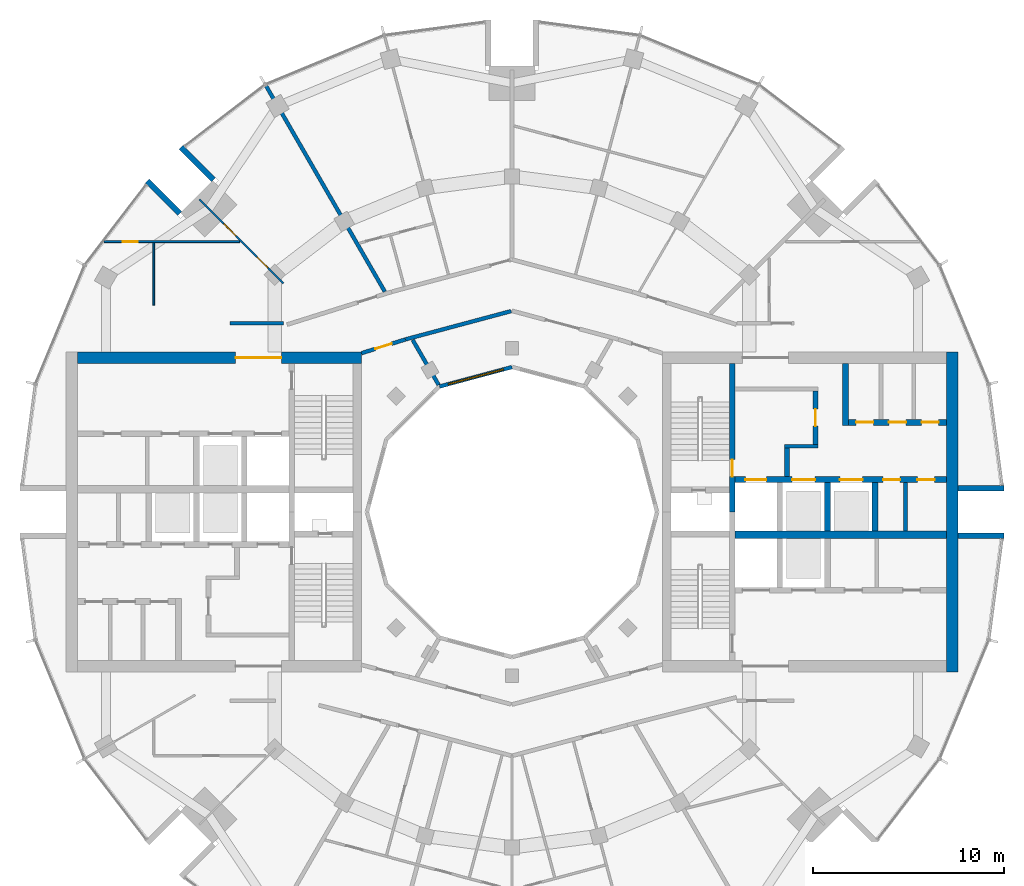
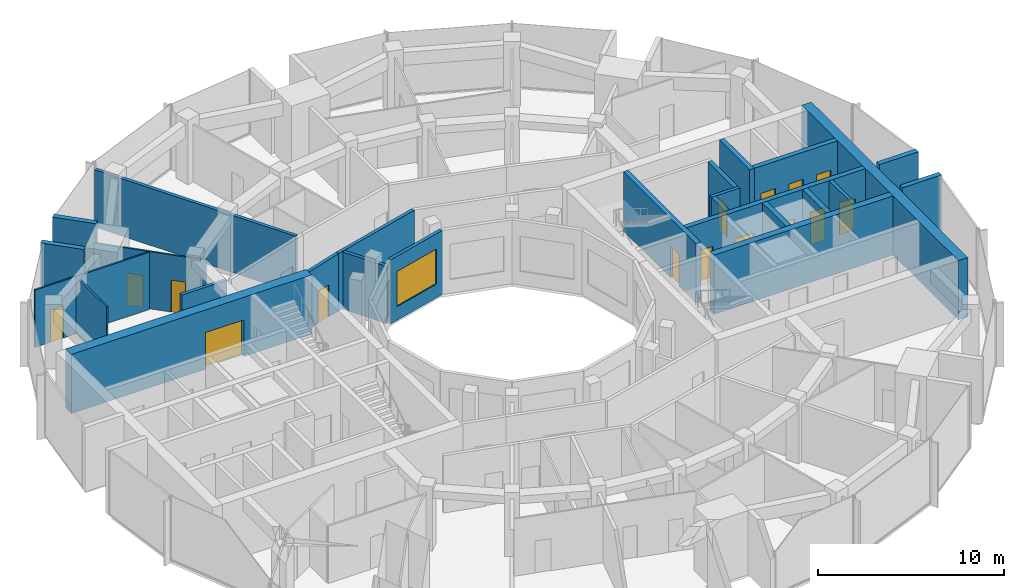
# One storey, part 11 of 15: 26 walls, 15 doors, 1 window, 16 openings.
"""IFC4 building model written with IfcOpenShell, lengths in metres."""

from ifc_helpers import new_model, si_unit, direction, frame, frame_2d, origin, place, context, subcontext, project, spatial, rectangle, extrude, material, layer, layer_set, type_object, element, fill, save


model = new_model("IFC4")

# Units and contexts
model_context = context("Model", 3, precision=1e-05, world=origin(), true_north=direction((0.0, 1.0)))
body_context = subcontext(model_context, "Body", "Model", "MODEL_VIEW")
ifc_project = project(units=[si_unit("LENGTHUNIT", "METRE"), si_unit("AREAUNIT", "SQUARE_METRE"), si_unit("VOLUMEUNIT", "CUBIC_METRE"), si_unit("PLANEANGLEUNIT", "RADIAN"), si_unit("MASSUNIT", "GRAM", prefix="KILO")], contexts=[model_context])

# Site, building, storey
site_placement = place(None, origin())
site = spatial("IfcSite", under=ifc_project, at=site_placement, CompositionType="ELEMENT")
building_placement = place(site_placement, origin())
building = spatial("IfcBuilding", under=site, at=building_placement, Name="Torre Brocal", CompositionType="ELEMENT")
storey_placement = place(building_placement, frame((0.0, 0.0, 216.699951171875)))
storey = spatial("IfcBuildingStorey", under=building, at=storey_placement, Name="L50", CompositionType="ELEMENT", Elevation=216.699951171875)

# Walls
ifc_material_1 = material(Name="Masonry block", Category="masonry")
ifc_layer_1 = layer(ifc_material_1, 0.199951171875)
ifc_layer_set_1 = layer_set([ifc_layer_1], Name="Masonry block")
wall_type_1 = type_object("IfcWallType", Name="CORE PARTITION 200", PredefinedType="PARTITIONING", material=ifc_layer_set_1)
wall_1_placement = place(storey_placement, frame((100.639892578125, 74.0, 0.0), z_axis=(0.0, 0.0, 1.0), x_axis=(0.0, 1.0, 0.0)))
element("IfcWall", 1, at=wall_1_placement, inside=storey, type_object=wall_type_1, Name="Wall CP200", PredefinedType="PARTITIONING", context=body_context, shape_type="SweptSolid", body=[
    extrude(rectangle(XDim=2.550048828125, YDim=0.199951171875, at=frame_2d((1.27490234375, 0.0))), origin(), (0.0, 0.0, 1.0), 3.880126953125),
])
ifc_material_2 = material(Name="Concrete C60", Category="concrete")
ifc_layer_2 = layer(ifc_material_2, 0.199951171875)
ifc_layer_set_2 = layer_set([ifc_layer_2], Name="Concrete C60")
wall_type_2 = type_object("IfcWallType", Name="CORE WALL 200 C60", PredefinedType="SHEAR", material=ifc_layer_set_2)
wall_2_placement = place(storey_placement, frame((94.300048828125, 78.449951171875, 0.0), z_axis=(0.0, 0.0, 1.0), x_axis=(1.0, 0.0, 0.0)))
element("IfcWall", 2, at=wall_2_placement, inside=storey, type_object=wall_type_2, Name="Wall CW200-60", PredefinedType="SHEAR", context=body_context, shape_type="SweptSolid", body=[
    extrude(rectangle(XDim=1.75, YDim=0.199951171875, at=frame_2d((0.875, 0.0))), origin(), (0.0, 0.0, 1.0), 3.880126953125),
])

# Wall, opening, door
ifc_material_3 = material(Name="Concrete C60", Category="concrete")
ifc_layer_3 = layer(ifc_material_3, 0.25)
ifc_layer_set_3 = layer_set([ifc_layer_3], Name="Concrete C60")
wall_type_3 = type_object("IfcWallType", Name="CORE WALL 250 C60", PredefinedType="SHEAR", material=ifc_layer_set_3)
wall_3_placement = place(storey_placement, frame((95.925048828125, 78.550048828125, 0.0), z_axis=(0.0, 0.0, 1.0), x_axis=(0.0, 1.0, 0.0)))
wall_3 = element("IfcWall", 3, at=wall_3_placement, inside=storey, type_object=wall_type_3, Name="Wall CW250-60", PredefinedType="SHEAR", context=body_context, shape_type="SweptSolid", body=[
    extrude(rectangle(XDim=2.800048828125, YDim=0.25, at=frame_2d((1.39990234375, 0.0))), origin(), (0.0, 0.0, 1.0), 3.880126953125),
])
opening_1_placement = place(wall_3_placement, frame((0.949951171875, 0.0, 0.0)))
opening_1 = element("IfcOpeningElement", 4, at=opening_1_placement, cuts=wall_3, Name="Opening E-D08", PredefinedType="OPENING", context=body_context, shape_type="SweptSolid", body=[
    extrude(rectangle(XDim=0.89990234375, YDim=2.10009765625, at=frame_2d((0.449951171875, 1.050048828125))), frame((0.0, 0.135009765625, 0.0), z_axis=(0.0, -1.0, 0.0), x_axis=(1.0, 0.0, 0.0)), (0.0, 0.0, 1.0), 0.27001953125),
])
ifc_material_4 = material(Name="Steel A653", Category="steel")
door_type_1 = type_object("IfcDoorType", Name="LOBBY DOOR FD120 900X2100", OperationType="SINGLE_SWING_RIGHT", PredefinedType="DOOR", material=ifc_material_4)
door_1_placement = place(opening_1_placement, origin())
door_1 = element("IfcDoor", 5, at=door_1_placement, inside=storey, type_object=door_type_1, Name="Door E-D08", OperationType="SINGLE_SWING_LEFT", OverallHeight=2.10009765625, OverallWidth=0.89990234375, PredefinedType="DOOR", context=body_context, shape_type="SweptSolid", body=[
    extrude(rectangle(XDim=0.89990234375, YDim=2.10009765625, at=frame_2d((0.449951171875, 1.050048828125))), frame((0.0, 0.02490234375, 0.0), z_axis=(0.0, -1.0, 0.0), x_axis=(1.0, 0.0, 0.0)), (0.0, 0.0, 1.0), 0.050048828125),
])
fill(opening_1, door_1)

# Wall
wall_4_placement = place(storey_placement, frame((94.425048828125, 76.85009765625, 0.0), z_axis=(0.0, 0.0, 1.0), x_axis=(0.0, 1.0, 0.0)))
element("IfcWall", 6, at=wall_4_placement, inside=storey, type_object=wall_type_3, Name="Wall CW250-60", PredefinedType="SHEAR", context=body_context, shape_type="SweptSolid", body=[
    extrude(rectangle(XDim=1.5, YDim=0.25, at=frame_2d((0.75, 0.0))), origin(), (0.0, 0.0, 1.0), 3.880126953125),
])

# Wall, opening, door
ifc_material_5 = material(Name="Concrete C60", Category="concrete")
ifc_layer_4 = layer(ifc_material_5, 0.300048828125)
ifc_layer_set_4 = layer_set([ifc_layer_4], Name="Concrete C60")
wall_type_4 = type_object("IfcWallType", Name="CORE WALL 300 C60", PredefinedType="SHEAR", material=ifc_layer_set_4)
wall_5_placement = place(storey_placement, frame((91.550048828125, 75.0, 0.0), z_axis=(0.0, 0.0, 1.0), x_axis=(0.0, 1.0, 0.0)))
wall_5 = element("IfcWall", 7, at=wall_5_placement, inside=storey, type_object=wall_type_4, Name="Wall CW300-60", PredefinedType="SHEAR", context=body_context, shape_type="SweptSolid", body=[
    extrude(rectangle(XDim=7.800048828125, YDim=0.300048828125, at=frame_2d((3.89990234375, 0.0))), origin(), (0.0, 0.0, 1.0), 3.880126953125),
])
opening_2_placement = place(wall_5_placement, frame((1.85009765625, 0.0, 0.0)))
opening_2 = element("IfcOpeningElement", 8, at=opening_2_placement, cuts=wall_5, Name="Opening E-D02", PredefinedType="OPENING", context=body_context, shape_type="SweptSolid", body=[
    extrude(rectangle(XDim=0.89990234375, YDim=2.10009765625, at=frame_2d((0.449951171875, 1.050048828125))), frame((0.0, 0.159912109375, 0.0), z_axis=(0.0, -1.0, 0.0), x_axis=(1.0, 0.0, 0.0)), (0.0, 0.0, 1.0), 0.320068359375),
])
ifc_material_6 = material(Name="Steel A653", Category="steel")
door_type_2 = type_object("IfcDoorType", Name="STAIR DOOR FD120 900X2100", OperationType="SINGLE_SWING_RIGHT", PredefinedType="DOOR", material=ifc_material_6)
door_2_placement = place(opening_2_placement, origin())
door_2 = element("IfcDoor", 9, at=door_2_placement, inside=storey, type_object=door_type_2, Name="Door E-D02", OperationType="SINGLE_SWING_LEFT", OverallHeight=2.10009765625, OverallWidth=0.89990234375, PredefinedType="DOOR", context=body_context, shape_type="SweptSolid", body=[
    extrude(rectangle(XDim=0.89990234375, YDim=2.10009765625, at=frame_2d((0.449951171875, 1.050048828125))), frame((0.0, 0.02490234375, 0.0), z_axis=(0.0, -1.0, 0.0), x_axis=(1.0, 0.0, 0.0)), (0.0, 0.0, 1.0), 0.050048828125),
])
fill(opening_2, door_2)

# Wall, openings, doors
wall_6_placement = place(storey_placement, frame((91.699951171875, 76.699951171875, 0.0), z_axis=(0.0, 0.0, 1.0), x_axis=(1.0, 0.0, 0.0)))
wall_6 = element("IfcWall", 10, at=wall_6_placement, inside=storey, type_object=wall_type_4, Name="Wall CW300-60", PredefinedType="SHEAR", context=body_context, shape_type="SweptSolid", body=[
    extrude(rectangle(XDim=11.10009765625, YDim=0.300048828125, at=frame_2d((5.550048828125, 0.0))), origin(), (0.0, 0.0, 1.0), 3.880126953125),
])
opening_3_placement = place(wall_6_placement, frame((0.550048828125, 0.0, 0.0)))
opening_3 = element("IfcOpeningElement", 11, at=opening_3_placement, cuts=wall_6, Name="Opening LD", PredefinedType="OPENING", context=body_context, shape_type="SweptSolid", body=[
    extrude(rectangle(XDim=1.10009765625, YDim=2.10009765625, at=frame_2d((0.550048828125, 1.050048828125))), frame((0.0, 0.159912109375, 0.0), z_axis=(0.0, -1.0, 0.0), x_axis=(1.0, 0.0, 0.0)), (0.0, 0.0, 1.0), 0.320068359375),
])
opening_4_placement = place(wall_6_placement, frame((3.0, 0.0, 0.0)))
opening_4 = element("IfcOpeningElement", 12, at=opening_4_placement, cuts=wall_6, Name="Opening LD12", PredefinedType="OPENING", context=body_context, shape_type="SweptSolid", body=[
    extrude(rectangle(XDim=1.199951171875, YDim=2.10009765625, at=frame_2d((0.60009765625, 1.050048828125))), frame((0.0, 0.159912109375, 0.0), z_axis=(0.0, -1.0, 0.0), x_axis=(1.0, 0.0, 0.0)), (0.0, 0.0, 1.0), 0.320068359375),
])
opening_5_placement = place(wall_6_placement, frame((5.5, 0.0, 0.0)))
opening_5 = element("IfcOpeningElement", 13, at=opening_5_placement, cuts=wall_6, Name="Opening LD12", PredefinedType="OPENING", context=body_context, shape_type="SweptSolid", body=[
    extrude(rectangle(XDim=1.199951171875, YDim=2.10009765625, at=frame_2d((0.60009765625, 1.050048828125))), frame((0.0, 0.159912109375, 0.0), z_axis=(0.0, -1.0, 0.0), x_axis=(1.0, 0.0, 0.0)), (0.0, 0.0, 1.0), 0.320068359375),
])
opening_6_placement = place(wall_6_placement, frame((7.77001953125, 0.0, 0.0)))
opening_6 = element("IfcOpeningElement", 14, at=opening_6_placement, cuts=wall_6, Name="Opening E-D04", PredefinedType="OPENING", context=body_context, shape_type="SweptSolid", body=[
    extrude(rectangle(XDim=0.89990234375, YDim=2.10009765625, at=frame_2d((0.449951171875, 1.050048828125))), frame((0.0, 0.159912109375, 0.0), z_axis=(0.0, -1.0, 0.0), x_axis=(1.0, 0.0, 0.0)), (0.0, 0.0, 1.0), 0.320068359375),
])
opening_7_placement = place(wall_6_placement, frame((9.570068359375, 0.0, 0.0)))
opening_7 = element("IfcOpeningElement", 15, at=opening_7_placement, cuts=wall_6, Name="Opening E-D05", PredefinedType="OPENING", context=body_context, shape_type="SweptSolid", body=[
    extrude(rectangle(XDim=0.89990234375, YDim=2.10009765625, at=frame_2d((0.449951171875, 1.050048828125))), frame((0.0, 0.159912109375, 0.0), z_axis=(0.0, -1.0, 0.0), x_axis=(1.0, 0.0, 0.0)), (0.0, 0.0, 1.0), 0.320068359375),
])
ifc_material_7 = material(Name="Stainless steel AISI 316", Category="steel")
door_type_3 = type_object("IfcDoorType", Name="LIFT LANDING DOOR 1100X2100", OperationType="DOUBLE_DOOR_SLIDING", PredefinedType="DOOR", material=ifc_material_7)
door_3_placement = place(opening_3_placement, origin())
door_3 = element("IfcDoor", 16, at=door_3_placement, inside=storey, type_object=door_type_3, Name="Door LD", OperationType="DOUBLE_DOOR_SLIDING", OverallHeight=2.10009765625, OverallWidth=1.10009765625, PredefinedType="DOOR", context=body_context, shape_type="SweptSolid", body=[
    extrude(rectangle(XDim=1.10009765625, YDim=2.10009765625, at=frame_2d((0.550048828125, 1.050048828125))), frame((0.0, 0.02490234375, 0.0), z_axis=(0.0, -1.0, 0.0), x_axis=(1.0, 0.0, 0.0)), (0.0, 0.0, 1.0), 0.050048828125),
])
fill(opening_3, door_3)
ifc_material_8 = material(Name="Stainless steel AISI 316", Category="steel")
door_type_4 = type_object("IfcDoorType", Name="LIFT LANDING DOOR 1200X2100", OperationType="DOUBLE_DOOR_SLIDING", PredefinedType="DOOR", material=ifc_material_8)
door_4_placement = place(opening_4_placement, origin())
door_4 = element("IfcDoor", 17, at=door_4_placement, inside=storey, type_object=door_type_4, Name="Door LD12", OperationType="DOUBLE_DOOR_SLIDING", OverallHeight=2.10009765625, OverallWidth=1.199951171875, PredefinedType="DOOR", context=body_context, shape_type="SweptSolid", body=[
    extrude(rectangle(XDim=1.199951171875, YDim=2.10009765625, at=frame_2d((0.60009765625, 1.050048828125))), frame((0.0, 0.02490234375, 0.0), z_axis=(0.0, -1.0, 0.0), x_axis=(1.0, 0.0, 0.0)), (0.0, 0.0, 1.0), 0.050048828125),
])
fill(opening_4, door_4)
door_5_placement = place(opening_5_placement, origin())
door_5 = element("IfcDoor", 18, at=door_5_placement, inside=storey, type_object=door_type_4, Name="Door LD12", OperationType="DOUBLE_DOOR_SLIDING", OverallHeight=2.10009765625, OverallWidth=1.199951171875, PredefinedType="DOOR", context=body_context, shape_type="SweptSolid", body=[
    extrude(rectangle(XDim=1.199951171875, YDim=2.10009765625, at=frame_2d((0.60009765625, 1.050048828125))), frame((0.0, 0.02490234375, 0.0), z_axis=(0.0, -1.0, 0.0), x_axis=(1.0, 0.0, 0.0)), (0.0, 0.0, 1.0), 0.050048828125),
])
fill(opening_5, door_5)
ifc_material_9 = material(Name="Steel A653", Category="steel")
door_type_5 = type_object("IfcDoorType", Name="ROOM DOOR FD30S 900X2100", OperationType="SINGLE_SWING_LEFT", PredefinedType="DOOR", material=ifc_material_9)
door_6_placement = place(opening_6_placement, frame((0.89990234375, 0.0, 0.0), z_axis=(0.0, 0.0, 1.0), x_axis=(-1.0, 0.0, 0.0)))
door_6 = element("IfcDoor", 19, at=door_6_placement, inside=storey, type_object=door_type_5, Name="Door E-D04", OperationType="SINGLE_SWING_LEFT", OverallHeight=2.10009765625, OverallWidth=0.89990234375, PredefinedType="DOOR", context=body_context, shape_type="SweptSolid", body=[
    extrude(rectangle(XDim=0.89990234375, YDim=2.10009765625, at=frame_2d((0.449951171875, 1.050048828125))), frame((0.0, 0.02490234375, 0.0), z_axis=(0.0, -1.0, 0.0), x_axis=(1.0, 0.0, 0.0)), (0.0, 0.0, 1.0), 0.050048828125),
])
fill(opening_6, door_6)
door_7_placement = place(opening_7_placement, frame((0.89990234375, 0.0, 0.0), z_axis=(0.0, 0.0, 1.0), x_axis=(-1.0, 0.0, 0.0)))
door_7 = element("IfcDoor", 20, at=door_7_placement, inside=storey, type_object=door_type_5, Name="Door E-D05", OperationType="SINGLE_SWING_RIGHT", OverallHeight=2.10009765625, OverallWidth=0.89990234375, PredefinedType="DOOR", context=body_context, shape_type="SweptSolid", body=[
    extrude(rectangle(XDim=0.89990234375, YDim=2.10009765625, at=frame_2d((0.449951171875, 1.050048828125))), frame((0.0, 0.02490234375, 0.0), z_axis=(0.0, -1.0, 0.0), x_axis=(1.0, 0.0, 0.0)), (0.0, 0.0, 1.0), 0.050048828125),
])
fill(opening_7, door_7)

# Walls
for number, where, z_axis, x_axis, name in (
    (21, (96.550048828125, 74.0, 0.0), (0.0, 0.0, 1.0), (0.0, 1.0, 0.0), "Wall CW300-60"),
    (22, (99.050048828125, 74.0, 0.0), (0.0, 0.0, 1.0), (0.0, 1.0, 0.0), "Wall CW300-60"),
):
    element("IfcWall", number, at=place(storey_placement, frame(where, z_axis=z_axis, x_axis=x_axis)), inside=storey, type_object=wall_type_4, Name=name, PredefinedType="SHEAR", context=body_context, shape_type="SweptSolid", body=[
        extrude(rectangle(XDim=2.550048828125, YDim=0.300048828125, at=frame_2d((1.27490234375, 0.0))), origin(), (0.0, 0.0, 1.0), 3.880126953125),
    ])
wall_7_placement = place(storey_placement, frame((97.5, 79.550048828125, 0.0), z_axis=(0.0, 0.0, 1.0), x_axis=(0.0, 1.0, 0.0)))
element("IfcWall", 23, at=wall_7_placement, inside=storey, type_object=wall_type_4, Name="Wall CW300-60", PredefinedType="SHEAR", context=body_context, shape_type="SweptSolid", body=[
    extrude(rectangle(XDim=3.25, YDim=0.300048828125, at=frame_2d((1.625, 0.0))), origin(), (0.0, 0.0, 1.0), 3.880126953125),
])

# Wall, openings, doors
wall_8_placement = place(storey_placement, frame((97.64990234375, 79.699951171875, 0.0), z_axis=(0.0, 0.0, 1.0), x_axis=(1.0, 0.0, 0.0)))
wall_8 = element("IfcWall", 24, at=wall_8_placement, inside=storey, type_object=wall_type_4, Name="Wall CW300-60", PredefinedType="SHEAR", context=body_context, shape_type="SweptSolid", body=[
    extrude(rectangle(XDim=5.150146484375, YDim=0.300048828125, at=frame_2d((2.5751953125, 0.0))), origin(), (0.0, 0.0, 1.0), 3.880126953125),
])
opening_8_placement = place(wall_8_placement, frame((0.408203125, 0.0, 0.0)))
opening_8 = element("IfcOpeningElement", 25, at=opening_8_placement, cuts=wall_8, Name="Opening E-D09", PredefinedType="OPENING", context=body_context, shape_type="SweptSolid", body=[
    extrude(rectangle(XDim=0.89990234375, YDim=2.10009765625, at=frame_2d((0.449951171875, 1.050048828125))), frame((0.0, 0.159912109375, 0.0), z_axis=(0.0, -1.0, 0.0), x_axis=(1.0, 0.0, 0.0)), (0.0, 0.0, 1.0), 0.320068359375),
])
opening_9_placement = place(wall_8_placement, frame((2.125, 0.0, 0.0)))
opening_9 = element("IfcOpeningElement", 26, at=opening_9_placement, cuts=wall_8, Name="Opening E-D10", PredefinedType="OPENING", context=body_context, shape_type="SweptSolid", body=[
    extrude(rectangle(XDim=0.89990234375, YDim=2.10009765625, at=frame_2d((0.449951171875, 1.050048828125))), frame((0.0, 0.159912109375, 0.0), z_axis=(0.0, -1.0, 0.0), x_axis=(1.0, 0.0, 0.0)), (0.0, 0.0, 1.0), 0.320068359375),
])
opening_10_placement = place(wall_8_placement, frame((3.841796875, 0.0, 0.0)))
opening_10 = element("IfcOpeningElement", 27, at=opening_10_placement, cuts=wall_8, Name="Opening E-D11", PredefinedType="OPENING", context=body_context, shape_type="SweptSolid", body=[
    extrude(rectangle(XDim=0.89990234375, YDim=2.10009765625, at=frame_2d((0.449951171875, 1.050048828125))), frame((0.0, 0.159912109375, 0.0), z_axis=(0.0, -1.0, 0.0), x_axis=(1.0, 0.0, 0.0)), (0.0, 0.0, 1.0), 0.320068359375),
])
door_8_placement = place(opening_8_placement, origin())
door_8 = element("IfcDoor", 28, at=door_8_placement, inside=storey, type_object=door_type_5, Name="Door E-D09", OperationType="SINGLE_SWING_RIGHT", OverallHeight=2.10009765625, OverallWidth=0.89990234375, PredefinedType="DOOR", context=body_context, shape_type="SweptSolid", body=[
    extrude(rectangle(XDim=0.89990234375, YDim=2.10009765625, at=frame_2d((0.449951171875, 1.050048828125))), frame((0.0, 0.02490234375, 0.0), z_axis=(0.0, -1.0, 0.0), x_axis=(1.0, 0.0, 0.0)), (0.0, 0.0, 1.0), 0.050048828125),
])
fill(opening_8, door_8)
door_9_placement = place(opening_9_placement, origin())
door_9 = element("IfcDoor", 29, at=door_9_placement, inside=storey, type_object=door_type_5, Name="Door E-D10", OperationType="SINGLE_SWING_RIGHT", OverallHeight=2.10009765625, OverallWidth=0.89990234375, PredefinedType="DOOR", context=body_context, shape_type="SweptSolid", body=[
    extrude(rectangle(XDim=0.89990234375, YDim=2.10009765625, at=frame_2d((0.449951171875, 1.050048828125))), frame((0.0, 0.02490234375, 0.0), z_axis=(0.0, -1.0, 0.0), x_axis=(1.0, 0.0, 0.0)), (0.0, 0.0, 1.0), 0.050048828125),
])
fill(opening_9, door_9)
door_10_placement = place(opening_10_placement, origin())
door_10 = element("IfcDoor", 30, at=door_10_placement, inside=storey, type_object=door_type_5, Name="Door E-D11", OperationType="SINGLE_SWING_LEFT", OverallHeight=2.10009765625, OverallWidth=0.89990234375, PredefinedType="DOOR", context=body_context, shape_type="SweptSolid", body=[
    extrude(rectangle(XDim=0.89990234375, YDim=2.10009765625, at=frame_2d((0.449951171875, 1.050048828125))), frame((0.0, 0.02490234375, 0.0), z_axis=(0.0, -1.0, 0.0), x_axis=(1.0, 0.0, 0.0)), (0.0, 0.0, 1.0), 0.050048828125),
])
fill(opening_10, door_10)

# Walls
ifc_material_10 = material(Name="Concrete C60", Category="concrete")
ifc_layer_5 = layer(ifc_material_10, 0.39990234375)
ifc_layer_set_5 = layer_set([ifc_layer_5], Name="Concrete C60")
wall_type_5 = type_object("IfcWallType", Name="CORE WALL 400 C60", PredefinedType="SHEAR", material=ifc_layer_set_5)
wall_9_placement = place(storey_placement, frame((91.699951171875, 73.800048828125, 0.0), z_axis=(0.0, 0.0, 1.0), x_axis=(1.0, 0.0, 0.0)))
element("IfcWall", 31, at=wall_9_placement, inside=storey, type_object=wall_type_5, Name="Wall CW400-60", PredefinedType="SHEAR", context=body_context, shape_type="SweptSolid", body=[
    extrude(rectangle(XDim=11.10009765625, YDim=0.39990234375, at=frame_2d((5.550048828125, 0.0))), origin(), (0.0, 0.0, 1.0), 3.880126953125),
])
ifc_material_11 = material(Name="Concrete C60", Category="concrete")
ifc_layer_6 = layer(ifc_material_11, 0.60009765625)
ifc_layer_set_6 = layer_set([ifc_layer_6], Name="Concrete C60")
wall_type_6 = type_object("IfcWallType", Name="CORE WALL 600 C60", PredefinedType="SHEAR", material=ifc_layer_set_6)
wall_10_placement = place(storey_placement, frame((103.10009765625, 66.60009765625, 0.0), z_axis=(0.0, 0.0, 1.0), x_axis=(0.0, 1.0, 0.0)))
element("IfcWall", 32, at=wall_10_placement, inside=storey, type_object=wall_type_6, Name="Wall CW600-60", PredefinedType="SHEAR", context=body_context, shape_type="SweptSolid", body=[
    extrude(rectangle(XDim=16.7998046875, YDim=0.60009765625, at=frame_2d((8.39990234375, 0.0))), origin(), (0.0, 0.0, 1.0), 3.880126953125),
])

# Wall, opening, door
wall_11_placement = place(storey_placement, frame((72.10009765625, 83.10009765625, 0.0), z_axis=(0.0, 0.0, 1.0), x_axis=(-1.0, 0.0, 0.0)))
wall_11 = element("IfcWall", 33, at=wall_11_placement, inside=storey, type_object=wall_type_6, Name="Wall CW600-60", PredefinedType="SHEAR", context=body_context, shape_type="SweptSolid", body=[
    extrude(rectangle(XDim=14.900146484375, YDim=0.60009765625, at=frame_2d((7.4501953125, 0.0))), origin(), (0.0, 0.0, 1.0), 3.880126953125),
])
opening_11_placement = place(wall_11_placement, frame((4.199951171875, 0.0, 0.0)))
opening_11 = element("IfcOpeningElement", 34, at=opening_11_placement, cuts=wall_11, Name="Opening W-D13", PredefinedType="OPENING", context=body_context, shape_type="SweptSolid", body=[
    extrude(rectangle(XDim=2.39990234375, YDim=2.39990234375, at=frame_2d((1.199951171875, 1.199951171875))), frame((0.0, 0.31005859375, 0.0), z_axis=(0.0, -1.0, 0.0), x_axis=(1.0, 0.0, 0.0)), (0.0, 0.0, 1.0), 0.6201171875),
])
ifc_material_12 = material(Name="Steel A653", Category="steel")
door_type_6 = type_object("IfcDoorType", Name="DOUBLE FIRE DOOR FD90 2400X2400", OperationType="DOUBLE_DOOR_SINGLE_SWING", PredefinedType="DOOR", material=ifc_material_12)
door_11_placement = place(opening_11_placement, origin())
door_11 = element("IfcDoor", 35, at=door_11_placement, inside=storey, type_object=door_type_6, Name="Door W-D13", OperationType="DOUBLE_DOOR_SINGLE_SWING", OverallHeight=2.39990234375, OverallWidth=2.39990234375, PredefinedType="DOOR", context=body_context, shape_type="SweptSolid", body=[
    extrude(rectangle(XDim=2.39990234375, YDim=2.39990234375, at=frame_2d((1.199951171875, 1.199951171875))), frame((0.0, 0.02490234375, 0.0), z_axis=(0.0, -1.0, 0.0), x_axis=(1.0, 0.0, 0.0)), (0.0, 0.0, 1.0), 0.050048828125),
])
fill(opening_11, door_11)

# Walls
ifc_material_13 = material(Name="Concrete C60", Category="concrete")
ifc_layer_7 = layer(ifc_material_13, 0.300048828125)
ifc_layer_set_7 = layer_set([ifc_layer_7], Name="Concrete C60")
wall_type_7 = type_object("IfcWallType", Name="NOTCH RETURN WALL 300 C60", PredefinedType="NOTDEFINED", material=ifc_layer_set_7)
for number, where, z_axis, x_axis, name in (
    (36, (103.39990234375, 73.75, 0.0), (0.0, 0.0, 1.0), (1.0, 0.0, 0.0), "NOTCH RETURN WALL"),
    (37, (103.39990234375, 76.25, 0.0), (0.0, 0.0, 1.0), (1.0, 0.0, 0.0), "NOTCH RETURN WALL"),
    (38, (64.337646484375, 92.43017578125, 0.0), (0.0, 0.0, 1.0), (-0.707106781187, 0.707106781187, 0.0), "NOTCH RETURN WALL"),
    (39, (62.56982421875, 90.662353515625, 0.0), (0.0, 0.0, 1.0), (-0.707106781187, 0.707106781187, 0.0), "NOTCH RETURN WALL"),
):
    element("IfcWall", number, at=place(storey_placement, frame(where, z_axis=z_axis, x_axis=x_axis)), inside=storey, type_object=wall_type_7, Name=name, PredefinedType="NOTDEFINED", context=body_context, shape_type="SweptSolid", body=[
        extrude(rectangle(XDim=2.415771484375, YDim=0.300048828125, at=frame_2d((1.2080078125, 0.0))), origin(), (0.0, 0.0, 1.0), 4.199951171875),
    ])

# Wall, opening, door
ifc_material_14 = material(Name="Gypsum board", Category="Gypsum")
ifc_layer_8 = layer(ifc_material_14, 0.10009765625)
ifc_layer_set_8 = layer_set([ifc_layer_8], Name="Gypsum board")
wall_type_8 = type_object("IfcWallType", Name="PARTITION 100", PredefinedType="PARTITIONING", material=ifc_layer_set_8)
wall_12_placement = place(storey_placement, frame((58.60009765625, 89.18798828125, 0.0), z_axis=(0.0, 0.0, 1.0), x_axis=(1.0, 0.0, 0.0)))
wall_12 = element("IfcWall", 40, at=wall_12_placement, inside=storey, type_object=wall_type_8, Name="BATHROOM WALL", PredefinedType="PARTITIONING", context=body_context, shape_type="SweptSolid", body=[
    extrude(rectangle(XDim=7.101806640625, YDim=0.10009765625, at=frame_2d((3.55078125, 0.0))), origin(), (0.0, 0.0, 1.0), 3.75),
])
opening_12_placement = place(wall_12_placement, frame((0.965087890625, 0.0, 0.0)))
opening_12 = element("IfcOpeningElement", 41, at=opening_12_placement, cuts=wall_12, Name="Opening B01-D15", PredefinedType="OPENING", context=body_context, shape_type="SweptSolid", body=[
    extrude(rectangle(XDim=0.800048828125, YDim=2.10009765625, at=frame_2d((0.39990234375, 1.050048828125))), frame((0.0, 0.06005859375, 0.0), z_axis=(0.0, -1.0, 0.0), x_axis=(1.0, 0.0, 0.0)), (0.0, 0.0, 1.0), 0.1201171875),
])
ifc_material_15 = material(Name="Timber", Category="wood")
door_type_7 = type_object("IfcDoorType", Name="BATHROOM DOOR 800X2100", OperationType="SINGLE_SWING_LEFT", PredefinedType="DOOR", material=ifc_material_15)
door_12_placement = place(opening_12_placement, frame((0.800048828125, 0.0, 0.0), z_axis=(0.0, 0.0, 1.0), x_axis=(-1.0, 0.0, 0.0)))
door_12 = element("IfcDoor", 42, at=door_12_placement, inside=storey, type_object=door_type_7, Name="B01-D15", OperationType="SINGLE_SWING_LEFT", OverallHeight=2.10009765625, OverallWidth=0.800048828125, PredefinedType="DOOR", context=body_context, shape_type="SweptSolid", body=[
    extrude(rectangle(XDim=0.800048828125, YDim=2.10009765625, at=frame_2d((0.39990234375, 1.050048828125))), frame((0.0, 0.02490234375, 0.0), z_axis=(0.0, -1.0, 0.0), x_axis=(1.0, 0.0, 0.0)), (0.0, 0.0, 1.0), 0.050048828125),
])
fill(opening_12, door_12)

# Wall
wall_13_placement = place(storey_placement, frame((61.199951171875, 85.85498046875, 0.0), z_axis=(0.0, 0.0, 1.0), x_axis=(0.0, 1.0, 0.0)))
element("IfcWall", 43, at=wall_13_placement, inside=storey, type_object=wall_type_8, Name="BATHROOM WALL", PredefinedType="PARTITIONING", context=body_context, shape_type="SweptSolid", body=[
    extrude(rectangle(XDim=3.282958984375, YDim=0.10009765625, at=frame_2d((1.6416015625, 0.0))), origin(), (0.0, 0.0, 1.0), 3.75),
])

# Wall, openings, doors
wall_14_placement = place(storey_placement, frame((63.598388671875, 91.408203125, 0.0), z_axis=(0.0, 0.0, 1.0), x_axis=(0.70693039891, -0.707283119477, 0.0)))
wall_14 = element("IfcWall", 44, at=wall_14_placement, inside=storey, type_object=wall_type_8, Name="BATHROOM WALL", PredefinedType="PARTITIONING", context=body_context, shape_type="SweptSolid", body=[
    extrude(rectangle(XDim=6.2294921875, YDim=0.10009765625, at=frame_2d((3.11474609375, 0.0))), origin(), (0.0, 0.0, 1.0), 3.75),
])
opening_13_placement = place(wall_14_placement, frame((1.819091796875, 0.0, 0.0)))
opening_13 = element("IfcOpeningElement", 45, at=opening_13_placement, cuts=wall_14, Name="Opening B01-D14", PredefinedType="OPENING", context=body_context, shape_type="SweptSolid", body=[
    extrude(rectangle(XDim=0.89990234375, YDim=2.10009765625, at=frame_2d((0.449951171875, 1.050048828125))), frame((0.0, 0.06005859375, 0.0), z_axis=(0.0, -1.0, 0.0), x_axis=(1.0, 0.0, 0.0)), (0.0, 0.0, 1.0), 0.1201171875),
])
opening_14_placement = place(wall_14_placement, frame((4.2822265625, 0.0, 0.0)))
opening_14 = element("IfcOpeningElement", 46, at=opening_14_placement, cuts=wall_14, Name="Opening B01-D16", PredefinedType="OPENING", context=body_context, shape_type="SweptSolid", body=[
    extrude(rectangle(XDim=0.800048828125, YDim=2.10009765625, at=frame_2d((0.39990234375, 1.050048828125))), frame((0.0, 0.06005859375, 0.0), z_axis=(0.0, -1.0, 0.0), x_axis=(1.0, 0.0, 0.0)), (0.0, 0.0, 1.0), 0.1201171875),
])
door_13_placement = place(opening_14_placement, frame((0.800048828125, 0.0, 0.0), z_axis=(0.0, 0.0, 1.0), x_axis=(-1.0, 0.0, 0.0)))
door_13 = element("IfcDoor", 47, at=door_13_placement, inside=storey, type_object=door_type_7, Name="B01-D16", OperationType="SINGLE_SWING_RIGHT", OverallHeight=2.10009765625, OverallWidth=0.800048828125, PredefinedType="DOOR", context=body_context, shape_type="SweptSolid", body=[
    extrude(rectangle(XDim=0.800048828125, YDim=2.10009765625, at=frame_2d((0.39990234375, 1.050048828125))), frame((0.0, 0.02490234375, 0.0), z_axis=(0.0, -1.0, 0.0), x_axis=(1.0, 0.0, 0.0)), (0.0, 0.0, 1.0), 0.050048828125),
])
fill(opening_14, door_13)
ifc_material_16 = material(Name="Timber", Category="wood")
door_type_8 = type_object("IfcDoorType", Name="ROOM DOOR 900X2100", OperationType="SINGLE_SWING_LEFT", PredefinedType="DOOR", material=ifc_material_16)
door_14_placement = place(opening_13_placement, frame((0.89990234375, 0.0, 0.0), z_axis=(0.0, 0.0, 1.0), x_axis=(-1.0, 0.0, 0.0)))
door_14 = element("IfcDoor", 48, at=door_14_placement, inside=storey, type_object=door_type_8, Name="B01-D14", OperationType="SINGLE_SWING_RIGHT", OverallHeight=2.10009765625, OverallWidth=0.89990234375, PredefinedType="DOOR", context=body_context, shape_type="SweptSolid", body=[
    extrude(rectangle(XDim=0.89990234375, YDim=2.10009765625, at=frame_2d((0.449951171875, 1.050048828125))), frame((0.0, 0.02490234375, 0.0), z_axis=(0.0, -1.0, 0.0), x_axis=(1.0, 0.0, 0.0)), (0.0, 0.0, 1.0), 0.050048828125),
])
fill(opening_13, door_14)

# Walls
ifc_material_17 = material(Name="Gypsum board", Category="Gypsum")
ifc_layer_9 = layer(ifc_material_17, 0.199951171875)
ifc_layer_set_9 = layer_set([ifc_layer_9], Name="Gypsum board")
wall_type_9 = type_object("IfcWallType", Name="PARTITION 200 EI60", PredefinedType="PARTITIONING", material=ifc_layer_set_9)
wall_15_placement = place(storey_placement, frame((65.199951171875, 84.89990234375, 0.0), z_axis=(0.0, 0.0, 1.0), x_axis=(1.0, 0.0, 0.0)))
element("IfcWall", 49, at=wall_15_placement, inside=storey, type_object=wall_type_9, Name="CORRIDOR WALL", PredefinedType="PARTITIONING", context=body_context, shape_type="SweptSolid", body=[
    extrude(rectangle(XDim=2.800048828125, YDim=0.199951171875, at=frame_2d((1.39990234375, 0.0))), origin(), (0.0, 0.0, 1.0), 3.75),
])
wall_16_placement = place(storey_placement, frame((67.105224609375, 97.34375, 0.0), z_axis=(0.0, 0.0, 1.0), x_axis=(0.499841888023, -0.866116670534, 0.0)))
element("IfcWall", 50, at=wall_16_placement, inside=storey, type_object=wall_type_9, Name="BATHROOM WALL", PredefinedType="PARTITIONING", context=body_context, shape_type="SweptSolid", body=[
    extrude(rectangle(XDim=12.44580078125, YDim=0.199951171875, at=frame_2d((6.222900390625, 0.0))), origin(), (0.0, 0.0, 1.0), 3.75),
])

# Wall, opening, door
wall_17_placement = place(storey_placement, frame((72.10009765625, 83.33203125, 0.0), z_axis=(0.0, 0.0, 1.0), x_axis=(0.954233106619, 0.299063836383, 0.0)))
wall_17 = element("IfcWall", 51, at=wall_17_placement, inside=storey, type_object=wall_type_9, Name="CORRIDOR WALL", PredefinedType="PARTITIONING", context=body_context, shape_type="SweptSolid", body=[
    extrude(rectangle(XDim=2.4140625, YDim=0.199951171875, at=frame_2d((1.20703125, 0.0))), origin(), (0.0, 0.0, 1.0), 3.75),
])
opening_15_placement = place(wall_17_placement, frame((0.761962890625, 0.0, 0.0)))
opening_15 = element("IfcOpeningElement", 52, at=opening_15_placement, cuts=wall_17, Name="Opening B01-D19", PredefinedType="OPENING", context=body_context, shape_type="SweptSolid", body=[
    extrude(rectangle(XDim=0.89990234375, YDim=2.10009765625, at=frame_2d((0.449951171875, 1.050048828125))), frame((0.0, 0.10986328125, 0.0), z_axis=(0.0, -1.0, 0.0), x_axis=(1.0, 0.0, 0.0)), (0.0, 0.0, 1.0), 0.219970703125),
])
door_15_placement = place(opening_15_placement, frame((0.89990234375, 0.0, 0.0), z_axis=(0.0, 0.0, 1.0), x_axis=(-1.0, 0.0, 0.0)))
door_15 = element("IfcDoor", 53, at=door_15_placement, inside=storey, type_object=door_type_8, Name="B01-D19", OperationType="SINGLE_SWING_RIGHT", OverallHeight=2.10009765625, OverallWidth=0.89990234375, PredefinedType="DOOR", context=body_context, shape_type="SweptSolid", body=[
    extrude(rectangle(XDim=0.89990234375, YDim=2.10009765625, at=frame_2d((0.449951171875, 1.050048828125))), frame((0.0, 0.02490234375, 0.0), z_axis=(0.0, -1.0, 0.0), x_axis=(1.0, 0.0, 0.0)), (0.0, 0.0, 1.0), 0.050048828125),
])
fill(opening_15, door_15)

# Walls
wall_18_placement = place(storey_placement, frame((74.412841796875, 84.05712890625, 0.0), z_axis=(0.0, 0.0, 1.0), x_axis=(0.965970849692, 0.258650956976, 0.0)))
element("IfcWall", 54, at=wall_18_placement, inside=storey, type_object=wall_type_9, Name="CORRIDOR WALL", PredefinedType="PARTITIONING", context=body_context, shape_type="SweptSolid", body=[
    extrude(rectangle(XDim=5.734130859375, YDim=0.199951171875, at=frame_2d((2.8671875, 0.0))), origin(), (0.0, 0.0, 1.0), 3.75),
])
wall_19_placement = place(storey_placement, frame((74.78955078125, 84.0283203125, 0.0), z_axis=(0.0, 0.0, 1.0), x_axis=(0.499820708267, -0.866128893172, 0.0)))
element("IfcWall", 55, at=wall_19_placement, inside=storey, type_object=wall_type_9, Name="SERVICE ROOM WALL", PredefinedType="PARTITIONING", context=body_context, shape_type="SweptSolid", body=[
    extrude(rectangle(XDim=2.724609375, YDim=0.199951171875, at=frame_2d((1.3623046875, 0.0))), origin(), (0.0, 0.0, 1.0), 3.75),
])

# Wall, opening, window
ifc_material_18 = material(Name="Concrete C40", Category="concrete")
ifc_layer_10 = layer(ifc_material_18, 0.199951171875)
ifc_layer_set_10 = layer_set([ifc_layer_10], Name="Concrete C40")
wall_type_10 = type_object("IfcWallType", Name="WELL FACADE WALL 200", PredefinedType="NOTDEFINED", material=ifc_layer_set_10)
wall_20_placement = place(storey_placement, frame((80.0, 82.603515625, 0.0), z_axis=(0.0, 0.0, 1.0), x_axis=(-0.965933654434, -0.258789828301, 0.0)))
wall_20 = element("IfcWall", 56, at=wall_20_placement, inside=storey, type_object=wall_type_10, Name="WELL FACADE WALL", PredefinedType="NOTDEFINED", context=body_context, shape_type="SweptSolid", body=[
    extrude(rectangle(XDim=3.935791015625, YDim=0.199951171875, at=frame_2d((1.9677734375, 0.0))), origin(), (0.0, 0.0, 1.0), 4.199951171875),
])
opening_16_placement = place(wall_20_placement, frame((0.468017578125, 0.0, 0.89990234375)))
opening_16 = element("IfcOpeningElement", 57, at=opening_16_placement, cuts=wall_20, Name="Opening W1", PredefinedType="OPENING", context=body_context, shape_type="SweptSolid", body=[
    extrude(rectangle(XDim=3.0, YDim=2.300048828125, at=frame_2d((1.5, 1.14990234375))), frame((0.0, 0.10986328125, 0.0), z_axis=(0.0, -1.0, 0.0), x_axis=(1.0, 0.0, 0.0)), (0.0, 0.0, 1.0), 0.219970703125),
])
ifc_material_19 = material(Name="Aluminium and glass", Category="aluminium")
window_type = type_object("IfcWindowType", Name="WELL WINDOW 3000X2300", PartitioningType="SINGLE_PANEL", PredefinedType="WINDOW", material=ifc_material_19)
window_placement = place(opening_16_placement, origin())
window = element("IfcWindow", 58, at=window_placement, inside=storey, type_object=window_type, Name="WELL WINDOW 3000X2300", OverallHeight=2.300048828125, OverallWidth=3.0, PartitioningType="SINGLE_PANEL", PredefinedType="WINDOW", context=body_context, shape_type="SweptSolid", body=[
    extrude(rectangle(XDim=3.0, YDim=2.300048828125, at=frame_2d((1.5, 1.14990234375))), frame((0.0, 0.030029296875, 0.0), z_axis=(0.0, -1.0, 0.0), x_axis=(1.0, 0.0, 0.0)), (0.0, 0.0, 1.0), 0.06005859375),
])
fill(opening_16, window)

save(model, "model.ifc")
